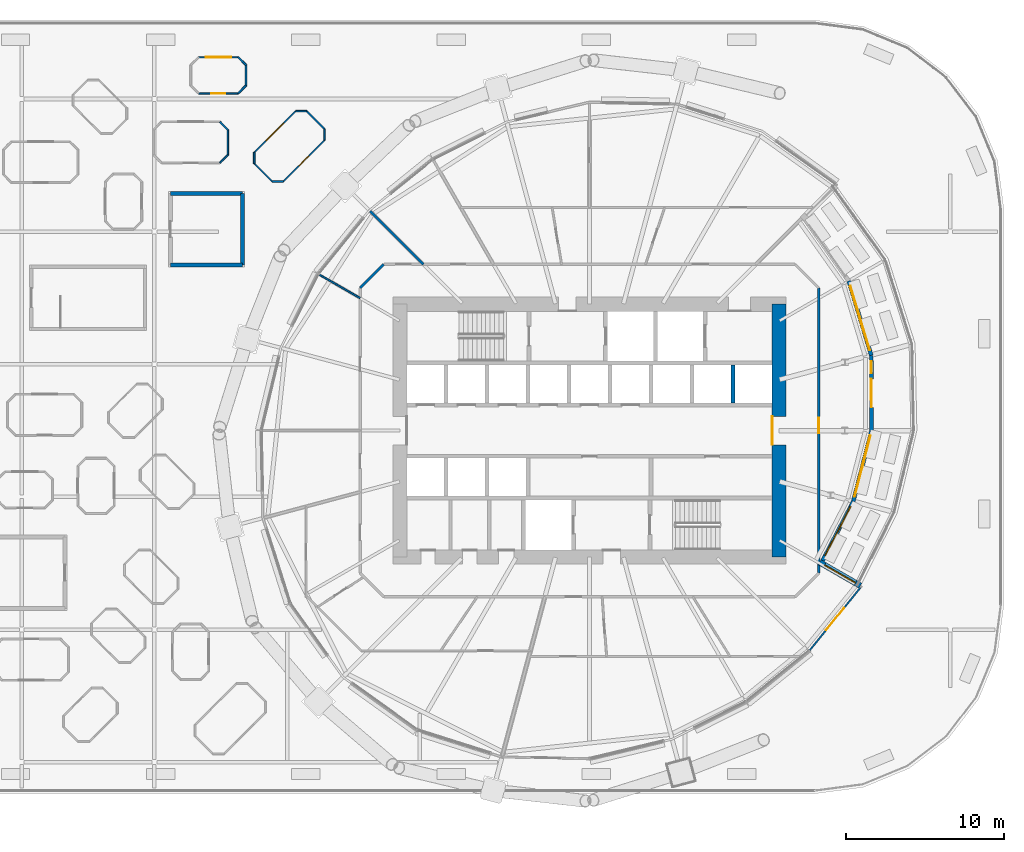
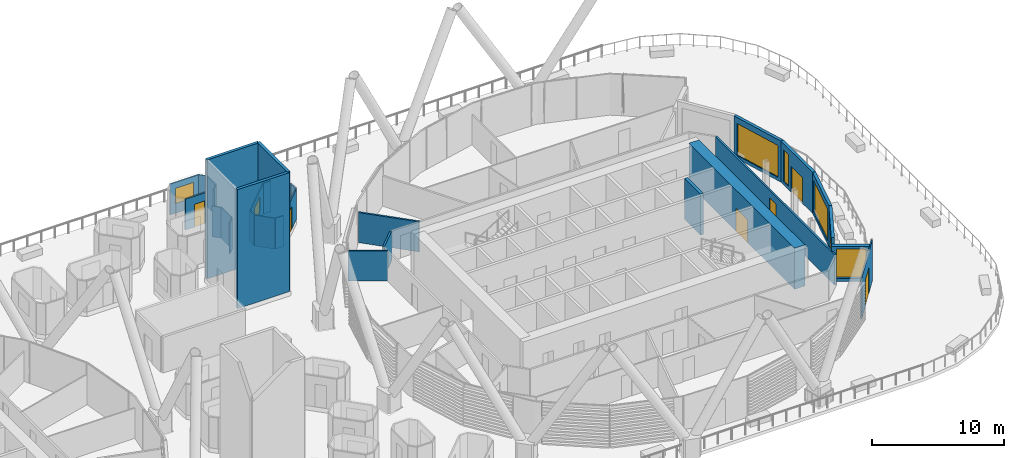
# One storey, part 32 of 47: 31 walls, 7 windows, 6 doors, 13 openings.
"""IFC4 building model written with IfcOpenShell, lengths in metres."""

from ifc_helpers import new_model, si_unit, direction, frame, frame_2d, origin, place, context, subcontext, project, spatial, rectangle, extrude, material, layer, layer_set, type_object, element, fill, save


model = new_model("IFC4")

# Units and contexts
model_context = context("Model", 3, precision=1e-05, world=origin(), true_north=direction((0.0, 1.0)))
body_context = subcontext(model_context, "Body", "Model", "MODEL_VIEW")
ifc_project = project(units=[si_unit("LENGTHUNIT", "METRE"), si_unit("AREAUNIT", "SQUARE_METRE"), si_unit("VOLUMEUNIT", "CUBIC_METRE"), si_unit("PLANEANGLEUNIT", "RADIAN"), si_unit("MASSUNIT", "GRAM", prefix="KILO")], contexts=[model_context])

# Site, building, storey
site_placement = place(None, origin())
site = spatial("IfcSite", under=ifc_project, at=site_placement, CompositionType="ELEMENT")
building_placement = place(site_placement, origin())
building = spatial("IfcBuilding", under=site, at=building_placement, Name="Rimbun Link Towers", CompositionType="ELEMENT")
storey_placement = place(building_placement, frame((0.0, 0.0, 30.0)))
storey = spatial("IfcBuildingStorey", under=building, at=storey_placement, Name="L06", CompositionType="ELEMENT", Elevation=30.0)

# Wall, opening, door
ifc_material_1 = material(Name="Terracotta-faced insulated sandwich panel", Category="masonry")
ifc_layer_1 = layer(ifc_material_1, 0.10009765625)
ifc_layer_set_1 = layer_set([ifc_layer_1], Name="CAPSULE entrance panel 100")
wall_type_1 = type_object("IfcWallType", Name="CAPSULE entrance panel 100", PredefinedType="STANDARD", material=ifc_layer_set_1)
wall_1_placement = place(storey_placement, frame((12.361083984375, 15.772705078125, 0.409912109375), z_axis=(0.0, 0.0, 1.0), x_axis=(0.707106781187, 0.707106781187, 0.0)))
wall_1 = element("IfcWall", 1, at=wall_1_placement, inside=storey, type_object=wall_type_1, Name="CAPSULE P17 shell panel 7", PredefinedType="STANDARD", context=body_context, shape_type="SweptSolid", body=[
    extrude(rectangle(XDim=3.699951171875, YDim=0.10009765625, at=frame_2d((1.85009765625, 0.0))), origin(), (0.0, 0.0, 1.0), 2.85009765625),
])
opening_1_placement = place(wall_1_placement, frame((1.39990234375, 0.0, 0.0)))
opening_1 = element("IfcOpeningElement", 2, at=opening_1_placement, cuts=wall_1, Name="Opening CD06.17", PredefinedType="OPENING", context=body_context, shape_type="SweptSolid", body=[
    extrude(rectangle(XDim=0.89990234375, YDim=2.10009765625, at=frame_2d((0.449951171875, 1.050048828125))), frame((0.0, 0.06005859375, 0.0), z_axis=(0.0, -1.0, 0.0), x_axis=(1.0, 0.0, 0.0)), (0.0, 0.0, 1.0), 0.1201171875),
])
ifc_material_2 = material(Name="Aluminium framed insulated door leaf", Category="aluminium")
door_type_1 = type_object("IfcDoorType", Name="CAPSULE door single leaf 900X2100", OperationType="SINGLE_SWING_LEFT", PredefinedType="DOOR", material=ifc_material_2)
door_1_placement = place(opening_1_placement, origin())
door_1 = element("IfcDoor", 3, at=door_1_placement, inside=storey, type_object=door_type_1, Name="CAPSULE P17 door", OperationType="SINGLE_SWING_LEFT", OverallHeight=2.10009765625, OverallWidth=0.89990234375, PredefinedType="DOOR", context=body_context, shape_type="SweptSolid", body=[
    extrude(rectangle(XDim=0.89990234375, YDim=2.10009765625, at=frame_2d((0.449951171875, 1.050048828125))), frame((0.0, 0.02490234375, 0.0), z_axis=(0.0, -1.0, 0.0), x_axis=(1.0, 0.0, 0.0)), (0.0, 0.0, 1.0), 0.050048828125),
])
fill(opening_1, door_1)

wall_2_placement = place(storey_placement, frame((7.0, 21.35009765625, 0.409912109375), z_axis=(0.0, 0.0, 1.0), x_axis=(1.0, 0.0, 0.0)))
wall_2 = element("IfcWall", 4, at=wall_2_placement, inside=storey, type_object=wall_type_1, Name="CAPSULE P20 shell panel 7", PredefinedType="STANDARD", context=body_context, shape_type="SweptSolid", body=[
    extrude(rectangle(XDim=2.5, YDim=0.10009765625, at=frame_2d((1.25, 0.0))), origin(), (0.0, 0.0, 1.0), 2.85009765625),
])
opening_2_placement = place(wall_2_placement, frame((0.800048828125, 0.0, 0.0)))
opening_2 = element("IfcOpeningElement", 5, at=opening_2_placement, cuts=wall_2, Name="Opening CD06.20", PredefinedType="OPENING", context=body_context, shape_type="SweptSolid", body=[
    extrude(rectangle(XDim=0.89990234375, YDim=2.10009765625, at=frame_2d((0.449951171875, 1.050048828125))), frame((0.0, 0.06005859375, 0.0), z_axis=(0.0, -1.0, 0.0), x_axis=(1.0, 0.0, 0.0)), (0.0, 0.0, 1.0), 0.1201171875),
])
door_2_placement = place(opening_2_placement, origin())
door_2 = element("IfcDoor", 6, at=door_2_placement, inside=storey, type_object=door_type_1, Name="CAPSULE P20 door", OperationType="SINGLE_SWING_RIGHT", OverallHeight=2.10009765625, OverallWidth=0.89990234375, PredefinedType="DOOR", context=body_context, shape_type="SweptSolid", body=[
    extrude(rectangle(XDim=0.89990234375, YDim=2.10009765625, at=frame_2d((0.449951171875, 1.050048828125))), frame((0.0, 0.02490234375, 0.0), z_axis=(0.0, -1.0, 0.0), x_axis=(1.0, 0.0, 0.0)), (0.0, 0.0, 1.0), 0.050048828125),
])
fill(opening_2, door_2)

# Walls
ifc_material_3 = material(Name="Terracotta-faced insulated sandwich panel", Category="masonry")
ifc_layer_2 = layer(ifc_material_3, 0.10009765625)
ifc_layer_set_2 = layer_set([ifc_layer_2], Name="CAPSULE shell panel 100")
wall_type_2 = type_object("IfcWallType", Name="CAPSULE shell panel 100", PredefinedType="STANDARD", material=ifc_layer_set_2)
wall_3_placement = place(storey_placement, frame((8.85009765625, 17.449951171875, 0.409912109375), z_axis=(0.0, 0.0, 1.0), x_axis=(0.0, 1.0, 0.0)))
element("IfcWall", 7, at=wall_3_placement, inside=storey, type_object=wall_type_2, Name="CAPSULE P16 shell panel 1", PredefinedType="STANDARD", context=body_context, shape_type="SweptSolid", body=[
    extrude(rectangle(XDim=1.60009765625, YDim=0.10009765625, at=frame_2d((0.800048828125, 0.0))), origin(), (0.0, 0.0, 1.0), 2.85009765625),
])
for number, where, z_axis, x_axis, name in (
    (8, (8.85009765625, 19.050048828125, 0.409912109375), (0.0, 0.0, 1.0), (-0.707106781187, 0.707106781187, 0.0), "CAPSULE P16 shell panel 2"),
    (9, (8.35009765625, 16.949951171875, 0.409912109375), (0.0, 0.0, 1.0), (0.707106781187, 0.707106781187, 0.0), "CAPSULE P16 shell panel 8"),
):
    element("IfcWall", number, at=place(storey_placement, frame(where, z_axis=z_axis, x_axis=x_axis)), inside=storey, type_object=wall_type_2, Name=name, PredefinedType="STANDARD", context=body_context, shape_type="SweptSolid", body=[
        extrude(rectangle(XDim=0.70703125, YDim=0.10009765625, at=frame_2d((0.353515625, 0.0))), origin(), (0.0, 0.0, 1.0), 2.85009765625),
    ])
wall_4_placement = place(storey_placement, frame((14.977294921875, 19.095947265625, 0.409912109375), z_axis=(0.0, 0.0, 1.0), x_axis=(-0.707106781187, 0.707106781187, 0.0)))
element("IfcWall", 10, at=wall_4_placement, inside=storey, type_object=wall_type_2, Name="CAPSULE P17 shell panel 1", PredefinedType="STANDARD", context=body_context, shape_type="SweptSolid", body=[
    extrude(rectangle(XDim=1.599853515625, YDim=0.10009765625, at=frame_2d((0.7998046875, 0.0))), origin(), (0.0, 0.0, 1.0), 2.85009765625),
])
wall_5_placement = place(storey_placement, frame((13.845947265625, 20.227294921875, 0.409912109375), z_axis=(0.0, 0.0, 1.0), x_axis=(-1.0, 0.0, 0.0)))
element("IfcWall", 11, at=wall_5_placement, inside=storey, type_object=wall_type_2, Name="CAPSULE P17 shell panel 2", PredefinedType="STANDARD", context=body_context, shape_type="SweptSolid", body=[
    extrude(rectangle(XDim=0.70703125, YDim=0.10009765625, at=frame_2d((0.353515625, 0.0))), origin(), (0.0, 0.0, 1.0), 2.85009765625),
])

# Wall, opening, window
wall_6_placement = place(storey_placement, frame((13.138916015625, 20.227294921875, 0.409912109375), z_axis=(0.0, 0.0, 1.0), x_axis=(-0.707106781187, -0.707106781187, 0.0)))
wall_6 = element("IfcWall", 12, at=wall_6_placement, inside=storey, type_object=wall_type_2, Name="CAPSULE P17 shell panel 3", PredefinedType="STANDARD", context=body_context, shape_type="SweptSolid", body=[
    extrude(rectangle(XDim=3.699951171875, YDim=0.10009765625, at=frame_2d((1.85009765625, 0.0))), origin(), (0.0, 0.0, 1.0), 2.85009765625),
])
opening_3_placement = place(wall_6_placement, frame((1.050048828125, 0.0, 0.89990234375)))
opening_3 = element("IfcOpeningElement", 13, at=opening_3_placement, cuts=wall_6, Name="Opening CN06.17", PredefinedType="OPENING", context=body_context, shape_type="SweptSolid", body=[
    extrude(rectangle(XDim=1.60009765625, YDim=1.39990234375, at=frame_2d((0.800048828125, 0.699951171875))), frame((0.0, 0.06005859375, 0.0), z_axis=(0.0, -1.0, 0.0), x_axis=(1.0, 0.0, 0.0)), (0.0, 0.0, 1.0), 0.1201171875),
])
ifc_material_4 = material(Name="Aluminium framed window, low-iron glass", Category="aluminium")
window_type_1 = type_object("IfcWindowType", Name="CAPSULE window 1600X1400", PartitioningType="SINGLE_PANEL", PredefinedType="WINDOW", material=ifc_material_4)
window_1_placement = place(opening_3_placement, origin())
window_1 = element("IfcWindow", 14, at=window_1_placement, inside=storey, type_object=window_type_1, Name="CAPSULE P17 window", OverallHeight=1.39990234375, OverallWidth=1.60009765625, PartitioningType="SINGLE_PANEL", PredefinedType="WINDOW", context=body_context, shape_type="SweptSolid", body=[
    extrude(rectangle(XDim=1.60009765625, YDim=1.39990234375, at=frame_2d((0.800048828125, 0.699951171875))), frame((0.0, 0.030029296875, 0.0), z_axis=(0.0, -1.0, 0.0), x_axis=(1.0, 0.0, 0.0)), (0.0, 0.0, 1.0), 0.06005859375),
])
fill(opening_3, window_1)

# Walls
wall_7_placement = place(storey_placement, frame((10.522705078125, 17.611083984375, 0.409912109375), z_axis=(0.0, 0.0, 1.0), x_axis=(0.0, -1.0, 0.0)))
element("IfcWall", 15, at=wall_7_placement, inside=storey, type_object=wall_type_2, Name="CAPSULE P17 shell panel 4", PredefinedType="STANDARD", context=body_context, shape_type="SweptSolid", body=[
    extrude(rectangle(XDim=0.70703125, YDim=0.10009765625, at=frame_2d((0.353515625, 0.0))), origin(), (0.0, 0.0, 1.0), 2.85009765625),
])
wall_8_placement = place(storey_placement, frame((10.522705078125, 16.904052734375, 0.409912109375), z_axis=(0.0, 0.0, 1.0), x_axis=(0.707106781187, -0.707106781187, 0.0)))
element("IfcWall", 16, at=wall_8_placement, inside=storey, type_object=wall_type_2, Name="CAPSULE P17 shell panel 5", PredefinedType="STANDARD", context=body_context, shape_type="SweptSolid", body=[
    extrude(rectangle(XDim=1.599853515625, YDim=0.10009765625, at=frame_2d((0.7998046875, 0.0))), origin(), (0.0, 0.0, 1.0), 2.85009765625),
])
for number, where, z_axis, x_axis, name in (
    (17, (11.654052734375, 15.772705078125, 0.409912109375), (0.0, 0.0, 1.0), (1.0, 0.0, 0.0), "CAPSULE P17 shell panel 6"),
    (18, (14.977294921875, 18.388916015625, 0.409912109375), (0.0, 0.0, 1.0), (0.0, 1.0, 0.0), "CAPSULE P17 shell panel 8"),
):
    element("IfcWall", number, at=place(storey_placement, frame(where, z_axis=z_axis, x_axis=x_axis)), inside=storey, type_object=wall_type_2, Name=name, PredefinedType="STANDARD", context=body_context, shape_type="SweptSolid", body=[
        extrude(rectangle(XDim=0.70703125, YDim=0.10009765625, at=frame_2d((0.353515625, 0.0))), origin(), (0.0, 0.0, 1.0), 2.85009765625),
    ])
wall_9_placement = place(storey_placement, frame((10.0, 21.85009765625, 0.409912109375), z_axis=(0.0, 0.0, 1.0), x_axis=(0.0, 1.0, 0.0)))
element("IfcWall", 19, at=wall_9_placement, inside=storey, type_object=wall_type_2, Name="CAPSULE P20 shell panel 1", PredefinedType="STANDARD", context=body_context, shape_type="SweptSolid", body=[
    extrude(rectangle(XDim=1.2998046875, YDim=0.10009765625, at=frame_2d((0.64990234375, 0.0))), origin(), (0.0, 0.0, 1.0), 2.85009765625),
])
wall_10_placement = place(storey_placement, frame((10.0, 23.14990234375, 0.409912109375), z_axis=(0.0, 0.0, 1.0), x_axis=(-0.707106781187, 0.707106781187, 0.0)))
element("IfcWall", 20, at=wall_10_placement, inside=storey, type_object=wall_type_2, Name="CAPSULE P20 shell panel 2", PredefinedType="STANDARD", context=body_context, shape_type="SweptSolid", body=[
    extrude(rectangle(XDim=0.70703125, YDim=0.10009765625, at=frame_2d((0.353515625, 0.0))), origin(), (0.0, 0.0, 1.0), 2.85009765625),
])

# Wall, opening, window
wall_11_placement = place(storey_placement, frame((9.5, 23.64990234375, 0.409912109375), z_axis=(0.0, 0.0, 1.0), x_axis=(-1.0, 0.0, 0.0)))
wall_11 = element("IfcWall", 21, at=wall_11_placement, inside=storey, type_object=wall_type_2, Name="CAPSULE P20 shell panel 3", PredefinedType="STANDARD", context=body_context, shape_type="SweptSolid", body=[
    extrude(rectangle(XDim=2.5, YDim=0.10009765625, at=frame_2d((1.25, 0.0))), origin(), (0.0, 0.0, 1.0), 2.85009765625),
])
opening_4_placement = place(wall_11_placement, frame((0.449951171875, 0.0, 0.89990234375)))
opening_4 = element("IfcOpeningElement", 22, at=opening_4_placement, cuts=wall_11, Name="Opening CN06.20", PredefinedType="OPENING", context=body_context, shape_type="SweptSolid", body=[
    extrude(rectangle(XDim=1.60009765625, YDim=1.39990234375, at=frame_2d((0.800048828125, 0.699951171875))), frame((0.0, 0.06005859375, 0.0), z_axis=(0.0, -1.0, 0.0), x_axis=(1.0, 0.0, 0.0)), (0.0, 0.0, 1.0), 0.1201171875),
])
window_2_placement = place(opening_4_placement, origin())
window_2 = element("IfcWindow", 23, at=window_2_placement, inside=storey, type_object=window_type_1, Name="CAPSULE P20 window", OverallHeight=1.39990234375, OverallWidth=1.60009765625, PartitioningType="SINGLE_PANEL", PredefinedType="WINDOW", context=body_context, shape_type="SweptSolid", body=[
    extrude(rectangle(XDim=1.60009765625, YDim=1.39990234375, at=frame_2d((0.800048828125, 0.699951171875))), frame((0.0, 0.030029296875, 0.0), z_axis=(0.0, -1.0, 0.0), x_axis=(1.0, 0.0, 0.0)), (0.0, 0.0, 1.0), 0.06005859375),
])
fill(opening_4, window_2)

# Wall
wall_12_placement = place(storey_placement, frame((9.5, 21.35009765625, 0.409912109375), z_axis=(0.0, 0.0, 1.0), x_axis=(0.707106781187, 0.707106781187, 0.0)))
element("IfcWall", 24, at=wall_12_placement, inside=storey, type_object=wall_type_2, Name="CAPSULE P20 shell panel 8", PredefinedType="STANDARD", context=body_context, shape_type="SweptSolid", body=[
    extrude(rectangle(XDim=0.70703125, YDim=0.10009765625, at=frame_2d((0.353515625, 0.0))), origin(), (0.0, 0.0, 1.0), 2.85009765625),
])

# Wall, opening, window
ifc_material_5 = material(Name="Dark enamelled glass spandrel on insulated aluminium backpan", Category="aluminium")
ifc_layer_3 = layer(ifc_material_5, 0.25)
ifc_layer_set_3 = layer_set([ifc_layer_3], Name="CS dark enamelled spandrel wall 250")
wall_type_3 = type_object("IfcWallType", Name="CS dark enamelled spandrel wall 250", PredefinedType="STANDARD", material=ifc_layer_set_3)
wall_13_placement = place(storey_placement, frame((48.45458984375, -4.489501953125, 0.0), z_axis=(0.0, 0.0, 1.0), x_axis=(-0.460198913601, -0.887815836714, 0.0)))
wall_13 = element("IfcWall", 25, at=wall_13_placement, inside=storey, type_object=wall_type_3, Name="Crease spandrel wall", PredefinedType="STANDARD", context=body_context, shape_type="SweptSolid", body=[
    extrude(rectangle(XDim=4.218505859375, YDim=0.25, at=frame_2d((2.109375, 0.0))), origin(), (0.0, 0.0, 1.0), 3.800048828125),
])
opening_5_placement = place(wall_13_placement, frame((0.359375, 0.0, 0.300048828125)))
opening_5 = element("IfcOpeningElement", 26, at=opening_5_placement, cuts=wall_13, Name="Opening WR35H295", PredefinedType="OPENING", context=body_context, shape_type="SweptSolid", body=[
    extrude(rectangle(XDim=3.5, YDim=2.949951171875, at=frame_2d((1.75, 1.47509765625))), frame((0.0, 0.135009765625, 0.0), z_axis=(0.0, -1.0, 0.0), x_axis=(1.0, 0.0, 0.0)), (0.0, 0.0, 1.0), 0.27001953125),
])
ifc_material_6 = material(Name="Aluminium framed fixed window, dark tinted low-e glass", Category="aluminium")
window_type_2 = type_object("IfcWindowType", Name="WR ribbon window 3500X2950", PartitioningType="SINGLE_PANEL", PredefinedType="WINDOW", material=ifc_material_6)
window_3_placement = place(opening_5_placement, origin())
window_3 = element("IfcWindow", 27, at=window_3_placement, inside=storey, type_object=window_type_2, Name="Crease ribbon window", OverallHeight=2.949951171875, OverallWidth=3.5, PartitioningType="SINGLE_PANEL", PredefinedType="WINDOW", context=body_context, shape_type="SweptSolid", body=[
    extrude(rectangle(XDim=3.5, YDim=2.949951171875, at=frame_2d((1.75, 1.47509765625))), frame((0.0, 0.030029296875, 0.0), z_axis=(0.0, -1.0, 0.0), x_axis=(1.0, 0.0, 0.0)), (0.0, 0.0, 1.0), 0.06005859375),
])
fill(opening_5, window_3)

wall_14_placement = place(storey_placement, frame((49.608642578125, -0.015625, 0.0), z_axis=(0.0, 0.0, 1.0), x_axis=(-0.249777337068, -0.968303300566, 0.0)))
wall_14 = element("IfcWall", 28, at=wall_14_placement, inside=storey, type_object=wall_type_3, Name="Crease spandrel wall", PredefinedType="STANDARD", context=body_context, shape_type="SweptSolid", body=[
    extrude(rectangle(XDim=4.620361328125, YDim=0.25, at=frame_2d((2.31005859375, 0.0))), origin(), (0.0, 0.0, 1.0), 3.800048828125),
])
opening_6_placement = place(wall_14_placement, frame((0.31005859375, 0.0, 0.300048828125)))
opening_6 = element("IfcOpeningElement", 29, at=opening_6_placement, cuts=wall_14, Name="Opening WR40H295", PredefinedType="OPENING", context=body_context, shape_type="SweptSolid", body=[
    extrude(rectangle(XDim=4.0, YDim=2.949951171875, at=frame_2d((2.0, 1.47509765625))), frame((0.0, 0.135009765625, 0.0), z_axis=(0.0, -1.0, 0.0), x_axis=(1.0, 0.0, 0.0)), (0.0, 0.0, 1.0), 0.27001953125),
])
ifc_material_7 = material(Name="Aluminium framed fixed window, dark tinted low-e glass", Category="aluminium")
window_type_3 = type_object("IfcWindowType", Name="WR ribbon window 4000X2950", PartitioningType="SINGLE_PANEL", PredefinedType="WINDOW", material=ifc_material_7)
window_4_placement = place(opening_6_placement, origin())
window_4 = element("IfcWindow", 30, at=window_4_placement, inside=storey, type_object=window_type_3, Name="Crease ribbon window", OverallHeight=2.949951171875, OverallWidth=4.0, PartitioningType="SINGLE_PANEL", PredefinedType="WINDOW", context=body_context, shape_type="SweptSolid", body=[
    extrude(rectangle(XDim=4.0, YDim=2.949951171875, at=frame_2d((2.0, 1.47509765625))), frame((0.0, 0.030029296875, 0.0), z_axis=(0.0, -1.0, 0.0), x_axis=(1.0, 0.0, 0.0)), (0.0, 0.0, 1.0), 0.06005859375),
])
fill(opening_6, window_4)

# Wall, openings, door, window
wall_15_placement = place(storey_placement, frame((49.59423828125, 4.7666015625, 0.0), z_axis=(0.0, 0.0, 1.0), x_axis=(0.00301203453, -0.999995463814, 0.0)))
wall_15 = element("IfcWall", 31, at=wall_15_placement, inside=storey, type_object=wall_type_3, Name="Crease spandrel wall", PredefinedType="STANDARD", context=body_context, shape_type="SweptSolid", body=[
    extrude(rectangle(XDim=4.7822265625, YDim=0.25, at=frame_2d((2.39111328125, 0.0))), origin(), (0.0, 0.0, 1.0), 3.800048828125),
])
opening_7_placement = place(wall_15_placement, frame((0.37109375, 0.0, 0.300048828125)))
opening_7 = element("IfcOpeningElement", 32, at=opening_7_placement, cuts=wall_15, Name="Opening WR08H295", PredefinedType="OPENING", context=body_context, shape_type="SweptSolid", body=[
    extrude(rectangle(XDim=0.75, YDim=2.949951171875, at=frame_2d((0.375, 1.47509765625))), frame((0.0, 0.135009765625, 0.0), z_axis=(0.0, -1.0, 0.0), x_axis=(1.0, 0.0, 0.0)), (0.0, 0.0, 1.0), 0.27001953125),
])
opening_8_placement = place(wall_15_placement, frame((1.492431640625, 0.0, 0.0)))
opening_8 = element("IfcOpeningElement", 33, at=opening_8_placement, cuts=wall_15, Name="Opening ED52", PredefinedType="OPENING", context=body_context, shape_type="SweptSolid", body=[
    extrude(rectangle(XDim=1.800048828125, YDim=2.39990234375, at=frame_2d((0.89990234375, 1.199951171875))), frame((0.0, 0.135009765625, 0.0), z_axis=(0.0, -1.0, 0.0), x_axis=(1.0, 0.0, 0.0)), (0.0, 0.0, 1.0), 0.27001953125),
])
ifc_material_8 = material(Name="Aluminium framed glazed door, low-iron glass", Category="aluminium")
door_type_2 = type_object("IfcDoorType", Name="ED terrace door double leaf 1800X2400", OperationType="DOUBLE_DOOR_SINGLE_SWING", PredefinedType="DOOR", material=ifc_material_8)
door_3_placement = place(opening_8_placement, origin())
door_3 = element("IfcDoor", 34, at=door_3_placement, inside=storey, type_object=door_type_2, Name="Terrace door", OperationType="SINGLE_SWING_LEFT", OverallHeight=2.39990234375, OverallWidth=1.800048828125, PredefinedType="DOOR", context=body_context, shape_type="SweptSolid", body=[
    extrude(rectangle(XDim=1.800048828125, YDim=2.39990234375, at=frame_2d((0.89990234375, 1.199951171875))), frame((0.0, 0.02490234375, 0.0), z_axis=(0.0, -1.0, 0.0), x_axis=(1.0, 0.0, 0.0)), (0.0, 0.0, 1.0), 0.050048828125),
])
fill(opening_8, door_3)
ifc_material_9 = material(Name="Aluminium framed fixed window, dark tinted low-e glass", Category="aluminium")
window_type_4 = type_object("IfcWindowType", Name="WR ribbon window 750X2950", PartitioningType="SINGLE_PANEL", PredefinedType="WINDOW", material=ifc_material_9)
window_5_placement = place(opening_7_placement, origin())
window_5 = element("IfcWindow", 35, at=window_5_placement, inside=storey, type_object=window_type_4, Name="Crease ribbon window", OverallHeight=2.949951171875, OverallWidth=0.75, PartitioningType="SINGLE_PANEL", PredefinedType="WINDOW", context=body_context, shape_type="SweptSolid", body=[
    extrude(rectangle(XDim=0.75, YDim=2.949951171875, at=frame_2d((0.375, 1.47509765625))), frame((0.0, 0.030029296875, 0.0), z_axis=(0.0, -1.0, 0.0), x_axis=(1.0, 0.0, 0.0)), (0.0, 0.0, 1.0), 0.06005859375),
])
fill(opening_7, window_5)

# Wall, opening, window
wall_16_placement = place(storey_placement, frame((48.168701171875, 9.469482421875, 0.0), z_axis=(0.0, 0.0, 1.0), x_axis=(0.290085989359, -0.957000584523, 0.0)))
wall_16 = element("IfcWall", 36, at=wall_16_placement, inside=storey, type_object=wall_type_3, Name="Crease spandrel wall", PredefinedType="STANDARD", context=body_context, shape_type="SweptSolid", body=[
    extrude(rectangle(XDim=4.914306640625, YDim=0.25, at=frame_2d((2.45703125, 0.0))), origin(), (0.0, 0.0, 1.0), 3.800048828125),
])
opening_9_placement = place(wall_16_placement, frame((0.33203125, 0.0, 0.300048828125)))
opening_9 = element("IfcOpeningElement", 37, at=opening_9_placement, cuts=wall_16, Name="Opening WR42H295", PredefinedType="OPENING", context=body_context, shape_type="SweptSolid", body=[
    extrude(rectangle(XDim=4.25, YDim=2.949951171875, at=frame_2d((2.125, 1.47509765625))), frame((0.0, 0.135009765625, 0.0), z_axis=(0.0, -1.0, 0.0), x_axis=(1.0, 0.0, 0.0)), (0.0, 0.0, 1.0), 0.27001953125),
])
ifc_material_10 = material(Name="Aluminium framed fixed window, dark tinted low-e glass", Category="aluminium")
window_type_5 = type_object("IfcWindowType", Name="WR ribbon window 4250X2950", PartitioningType="SINGLE_PANEL", PredefinedType="WINDOW", material=ifc_material_10)
window_6_placement = place(opening_9_placement, origin())
window_6 = element("IfcWindow", 38, at=window_6_placement, inside=storey, type_object=window_type_5, Name="Crease ribbon window", OverallHeight=2.949951171875, OverallWidth=4.25, PartitioningType="SINGLE_PANEL", PredefinedType="WINDOW", context=body_context, shape_type="SweptSolid", body=[
    extrude(rectangle(XDim=4.25, YDim=2.949951171875, at=frame_2d((2.125, 1.47509765625))), frame((0.0, 0.030029296875, 0.0), z_axis=(0.0, -1.0, 0.0), x_axis=(1.0, 0.0, 0.0)), (0.0, 0.0, 1.0), 0.06005859375),
])
fill(opening_9, window_6)

ifc_material_11 = material(Name="Dark enamelled glass spandrel on insulated aluminium backpan", Category="aluminium")
ifc_layer_4 = layer(ifc_material_11, 0.3701171875)
ifc_layer_set_4 = layer_set([ifc_layer_4], Name="CS dark enamelled spandrel wall 370")
wall_type_4 = type_object("IfcWallType", Name="CS dark enamelled spandrel wall 370", PredefinedType="STANDARD", material=ifc_layer_set_4)
wall_17_placement = place(storey_placement, frame((46.322265625, -8.338134765625, 0.0), z_axis=(0.0, 0.0, 1.0), x_axis=(0.866031423615, -0.499989573202, 0.0)))
wall_17 = element("IfcWall", 39, at=wall_17_placement, inside=storey, type_object=wall_type_4, Name="Crease spandrel wall", PredefinedType="STANDARD", context=body_context, shape_type="SweptSolid", body=[
    extrude(rectangle(XDim=2.97998046875, YDim=0.3701171875, at=frame_2d((1.489990234375, 0.0))), origin(), (0.0, 0.0, 1.0), 3.2236328125),
])
opening_10_placement = place(wall_17_placement, frame((0.364990234375, 0.0, 0.300048828125)))
opening_10 = element("IfcOpeningElement", 40, at=opening_10_placement, cuts=wall_17, Name="Opening WR22H270", PredefinedType="OPENING", context=body_context, shape_type="SweptSolid", body=[
    extrude(rectangle(XDim=2.25, YDim=2.699951171875, at=frame_2d((1.125, 1.35009765625))), frame((0.0, 0.195068359375, 0.0), z_axis=(0.0, -1.0, 0.0), x_axis=(1.0, 0.0, 0.0)), (0.0, 0.0, 1.0), 0.39013671875),
])
ifc_material_12 = material(Name="Aluminium framed fixed window, dark tinted low-e glass", Category="aluminium")
window_type_6 = type_object("IfcWindowType", Name="WR ribbon window 2250X2700", PartitioningType="SINGLE_PANEL", PredefinedType="WINDOW", material=ifc_material_12)
window_7_placement = place(opening_10_placement, origin())
window_7 = element("IfcWindow", 41, at=window_7_placement, inside=storey, type_object=window_type_6, Name="Crease ribbon window", OverallHeight=2.699951171875, OverallWidth=2.25, PartitioningType="SINGLE_PANEL", PredefinedType="WINDOW", context=body_context, shape_type="SweptSolid", body=[
    extrude(rectangle(XDim=2.25, YDim=2.699951171875, at=frame_2d((1.125, 1.35009765625))), frame((0.0, 0.030029296875, 0.0), z_axis=(0.0, -1.0, 0.0), x_axis=(1.0, 0.0, 0.0)), (0.0, 0.0, 1.0), 0.06005859375),
])
fill(opening_10, window_7)

# Wall, opening, door
ifc_material_13 = material(Name="Concrete C60/75", Category="concrete")
ifc_layer_5 = layer(ifc_material_13, 0.89990234375)
ifc_layer_set_5 = layer_set([ifc_layer_5], Name="Core shear wall 900")
wall_type_5 = type_object("IfcWallType", Name="Core shear wall 900", PredefinedType="SHEAR", material=ifc_layer_set_5)
wall_18_placement = place(storey_placement, frame((43.75, -8.0, 0.0), z_axis=(0.0, 0.0, 1.0), x_axis=(0.0, 1.0, 0.0)))
wall_18 = element("IfcWall", 42, at=wall_18_placement, inside=storey, type_object=wall_type_5, Name="L06 T2 core wall E", PredefinedType="SHEAR", context=body_context, shape_type="SweptSolid", body=[
    extrude(rectangle(XDim=16.0, YDim=0.89990234375, at=frame_2d((8.0, 0.0))), origin(), (0.0, 0.0, 1.0), 3.800048828125),
])
opening_11_placement = place(wall_18_placement, frame((7.10009765625, 0.0, 0.0)))
opening_11 = element("IfcOpeningElement", 43, at=opening_11_placement, cuts=wall_18, Name="Opening C2DCL01E", PredefinedType="OPENING", context=body_context, shape_type="SweptSolid", body=[
    extrude(rectangle(XDim=1.800048828125, YDim=2.10009765625, at=frame_2d((0.89990234375, 1.050048828125))), frame((0.0, 0.4599609375, 0.0), z_axis=(0.0, -1.0, 0.0), x_axis=(1.0, 0.0, 0.0)), (0.0, 0.0, 1.0), 0.919921875),
])
ifc_material_14 = material(Name="Steel fire door set", Category="steel")
door_type_3 = type_object("IfcDoorType", Name="Core lobby door double", OperationType="DOUBLE_DOOR_SINGLE_SWING", PredefinedType="DOOR", material=ifc_material_14)
door_4_placement = place(opening_11_placement, origin())
door_4 = element("IfcDoor", 44, at=door_4_placement, inside=storey, type_object=door_type_3, Name="L06 T2 lift lobby door", OperationType="DOUBLE_DOOR_SINGLE_SWING", OverallHeight=2.10009765625, OverallWidth=1.800048828125, PredefinedType="DOOR", context=body_context, shape_type="SweptSolid", body=[
    extrude(rectangle(XDim=1.800048828125, YDim=2.10009765625, at=frame_2d((0.89990234375, 1.050048828125))), frame((0.0, 0.4501953125, 0.0), z_axis=(0.0, -1.0, 0.0), x_axis=(1.0, 0.0, 0.0)), (0.0, 0.0, 1.0), 0.050048828125),
])
fill(opening_11, door_4)

ifc_material_15 = material(Name="Plasterboard on steel stud, mineral wool", Category="steel")
ifc_layer_6 = layer(ifc_material_15, 0.14990234375)
ifc_layer_set_6 = layer_set([ifc_layer_6], Name="Corridor wall EI 30 150 mm")
wall_type_6 = type_object("IfcWallType", Name="Corridor wall EI 30 150 mm", PredefinedType="PARTITIONING", material=ifc_layer_set_6)
wall_19_placement = place(storey_placement, frame((46.27490234375, 9.026611328125, 0.0), z_axis=(0.0, 0.0, 1.0), x_axis=(0.0, -1.0, 0.0)))
wall_19 = element("IfcWall", 45, at=wall_19_placement, inside=storey, type_object=wall_type_6, Name="Corridor wall EI 30 150 mm", PredefinedType="PARTITIONING", context=body_context, shape_type="SweptSolid", body=[
    extrude(rectangle(XDim=18.05322265625, YDim=0.14990234375, at=frame_2d((9.026611328125, 0.0))), origin(), (0.0, 0.0, 1.0), 2.779052734375),
])
opening_12_placement = place(wall_19_placement, frame((8.206298828125, 0.0, 0.0)))
opening_12 = element("IfcOpeningElement", 46, at=opening_12_placement, cuts=wall_19, Name="Opening D01", PredefinedType="OPENING", context=body_context, shape_type="SweptSolid", body=[
    extrude(rectangle(XDim=1.0, YDim=2.10009765625, at=frame_2d((0.5, 1.050048828125))), frame((0.0, 0.0849609375, 0.0), z_axis=(0.0, -1.0, 0.0), x_axis=(1.0, 0.0, 0.0)), (0.0, 0.0, 1.0), 0.169921875),
])
ifc_material_16 = material(Name="Fire-resisting timber door leaf", Category="wood")
door_type_4 = type_object("IfcDoorType", Name="Fire door FD30S 1000", OperationType="NOTDEFINED", PredefinedType="DOOR", material=ifc_material_16)
door_5_placement = place(opening_12_placement, origin())
door_5 = element("IfcDoor", 47, at=door_5_placement, inside=storey, type_object=door_type_4, Name="Fire door FD30S 1000 to Terrace office", OperationType="SINGLE_SWING_RIGHT", OverallHeight=2.10009765625, OverallWidth=1.0, PredefinedType="DOOR", context=body_context, shape_type="SweptSolid", body=[
    extrude(rectangle(XDim=1.0, YDim=2.10009765625, at=frame_2d((0.5, 1.050048828125))), frame((0.0, 0.02490234375, 0.0), z_axis=(0.0, -1.0, 0.0), x_axis=(1.0, 0.0, 0.0)), (0.0, 0.0, 1.0), 0.050048828125),
])
fill(opening_12, door_5)

# Wall
wall_20_placement = place(storey_placement, frame((18.723388671875, 10.52490234375, 0.0), z_axis=(0.0, 0.0, 1.0), x_axis=(-0.707106781187, -0.707106781187, 0.0)))
element("IfcWall", 48, at=wall_20_placement, inside=storey, type_object=wall_type_6, Name="Corridor wall EI 30 150 mm", PredefinedType="PARTITIONING", context=body_context, shape_type="SweptSolid", body=[
    extrude(rectangle(XDim=2.118896484375, YDim=0.14990234375, at=frame_2d((1.0595703125, 0.0))), origin(), (0.0, 0.0, 1.0), 2.779052734375),
])

# Wall, opening, door
ifc_material_17 = material(Name="Aluminium framed insulated infill panel", Category="aluminium")
ifc_layer_7 = layer(ifc_material_17, 0.10009765625)
ifc_layer_set_7 = layer_set([ifc_layer_7], Name="ED framed infill wall 100")
wall_type_7 = type_object("IfcWallType", Name="ED framed infill wall 100", PredefinedType="STANDARD", material=ifc_layer_set_7)
wall_21_placement = place(storey_placement, frame((48.9140625, -9.94140625, 0.0), z_axis=(0.0, 0.0, 1.0), x_axis=(-0.629141879328, -0.777290483459, 0.0)))
wall_21 = element("IfcWall", 49, at=wall_21_placement, inside=storey, type_object=wall_type_7, Name="Framed door bay wall", PredefinedType="STANDARD", context=body_context, shape_type="SweptSolid", body=[
    extrude(rectangle(XDim=5.1103515625, YDim=0.10009765625, at=frame_2d((2.55517578125, 0.0))), origin(), (0.0, 0.0, 1.0), 3.800048828125),
])
opening_13_placement = place(wall_21_placement, frame((1.655029296875, 0.0, 0.0)))
opening_13 = element("IfcOpeningElement", 50, at=opening_13_placement, cuts=wall_21, Name="Opening ED51", PredefinedType="OPENING", context=body_context, shape_type="SweptSolid", body=[
    extrude(rectangle(XDim=1.800048828125, YDim=2.39990234375, at=frame_2d((0.89990234375, 1.199951171875))), frame((0.0, 0.06005859375, 0.0), z_axis=(0.0, -1.0, 0.0), x_axis=(1.0, 0.0, 0.0)), (0.0, 0.0, 1.0), 0.1201171875),
])
door_6_placement = place(opening_13_placement, origin())
door_6 = element("IfcDoor", 51, at=door_6_placement, inside=storey, type_object=door_type_2, Name="Terrace door", OperationType="SINGLE_SWING_LEFT", OverallHeight=2.39990234375, OverallWidth=1.800048828125, PredefinedType="DOOR", context=body_context, shape_type="SweptSolid", body=[
    extrude(rectangle(XDim=1.800048828125, YDim=2.39990234375, at=frame_2d((0.89990234375, 1.199951171875))), frame((0.0, 0.02490234375, 0.0), z_axis=(0.0, -1.0, 0.0), x_axis=(1.0, 0.0, 0.0)), (0.0, 0.0, 1.0), 0.050048828125),
])
fill(opening_13, door_6)

# Walls
ifc_material_18 = material(Name="Plasterboard on steel stud", Category="steel")
ifc_layer_8 = layer(ifc_material_18, 0.10009765625)
ifc_layer_set_8 = layer_set([ifc_layer_8], Name="Plasterboard partition 100 mm")
wall_type_8 = type_object("IfcWallType", Name="Plasterboard partition 100 mm", PredefinedType="PARTITIONING", material=ifc_layer_set_8)
wall_22_placement = place(storey_placement, frame((14.6123046875, 9.89453125, 0.0), z_axis=(0.0, 0.0, 1.0), x_axis=(0.866018486155, -0.500011981494, 0.0)))
element("IfcWall", 52, at=wall_22_placement, inside=storey, type_object=wall_type_8, Name="Plasterboard partition 100 mm", PredefinedType="PARTITIONING", context=body_context, shape_type="SweptSolid", body=[
    extrude(rectangle(XDim=3.01708984375, YDim=0.10009765625, at=frame_2d((1.508544921875, 0.0))), origin(), (0.0, 0.0, 1.0), 2.779052734375),
])
ifc_material_19 = material(Name="Concrete C40/50", Category="concrete")
ifc_layer_9 = layer(ifc_material_19, 0.25)
ifc_layer_set_9 = layer_set([ifc_layer_9], Name="Service trunk wall 250")
wall_type_9 = type_object("IfcWallType", Name="Service trunk wall 250", PredefinedType="STANDARD", material=ifc_layer_set_9)
for number, where, z_axis, x_axis, name in (
    (53, (5.22509765625, 10.47509765625, 0.409912109375), (0.0, 0.0, 1.0), (1.0, 0.0, 0.0), "Service trunk 2 wall 1"),
    (54, (9.77490234375, 10.47509765625, 0.409912109375), (0.0, 0.0, 1.0), (0.0, 1.0, 0.0), "Service trunk 2 wall 2"),
    (55, (9.77490234375, 15.02490234375, 0.409912109375), (0.0, 0.0, 1.0), (-1.0, 0.0, 0.0), "Service trunk 2 wall 3"),
):
    element("IfcWall", number, at=place(storey_placement, frame(where, z_axis=z_axis, x_axis=x_axis)), inside=storey, type_object=wall_type_9, Name=name, PredefinedType="STANDARD", context=body_context, shape_type="SweptSolid", body=[
        extrude(rectangle(XDim=4.5498046875, YDim=0.25, at=frame_2d((2.27490234375, 0.0))), origin(), (0.0, 0.0, 1.0), 10.989990234375),
    ])
ifc_material_20 = material(Name="Concrete C60/75", Category="concrete")
ifc_layer_10 = layer(ifc_material_20, 0.25)
ifc_layer_set_10 = layer_set([ifc_layer_10], Name="Shaft wall 250")
wall_type_10 = type_object("IfcWallType", Name="Shaft wall 250", PredefinedType="SHEAR", material=ifc_layer_set_10)
wall_23_placement = place(storey_placement, frame((40.83056640625, 1.75, 0.0), z_axis=(0.0, 0.0, 1.0), x_axis=(0.0, 1.0, 0.0)))
element("IfcWall", 56, at=wall_23_placement, inside=storey, type_object=wall_type_10, Name="L06 T2 core wall DN7", PredefinedType="SHEAR", context=body_context, shape_type="SweptSolid", body=[
    extrude(rectangle(XDim=2.39990234375, YDim=0.25, at=frame_2d((1.199951171875, 0.0))), origin(), (0.0, 0.0, 1.0), 3.800048828125),
])
ifc_material_21 = material(Name="Plasterboard on steel stud, mineral wool", Category="steel")
ifc_layer_11 = layer(ifc_material_21, 0.14990234375)
ifc_layer_set_11 = layer_set([ifc_layer_11], Name="Tenancy separation wall EI 60 150 mm")
wall_type_11 = type_object("IfcWallType", Name="Tenancy separation wall EI 60 150 mm", PredefinedType="PARTITIONING", material=ifc_layer_set_11)
wall_24_placement = place(storey_placement, frame((21.22509765625, 10.52490234375, 0.0), z_axis=(0.0, 0.0, 1.0), x_axis=(-0.707106781187, 0.707106781187, 0.0)))
element("IfcWall", 57, at=wall_24_placement, inside=storey, type_object=wall_type_11, Name="Tenancy separation wall EI 60 150 mm", PredefinedType="PARTITIONING", context=body_context, shape_type="SweptSolid", body=[
    extrude(rectangle(XDim=4.769775390625, YDim=0.14990234375, at=frame_2d((2.384765625, 0.0))), origin(), (0.0, 0.0, 1.0), 2.779052734375),
])

save(model, "model.ifc")
